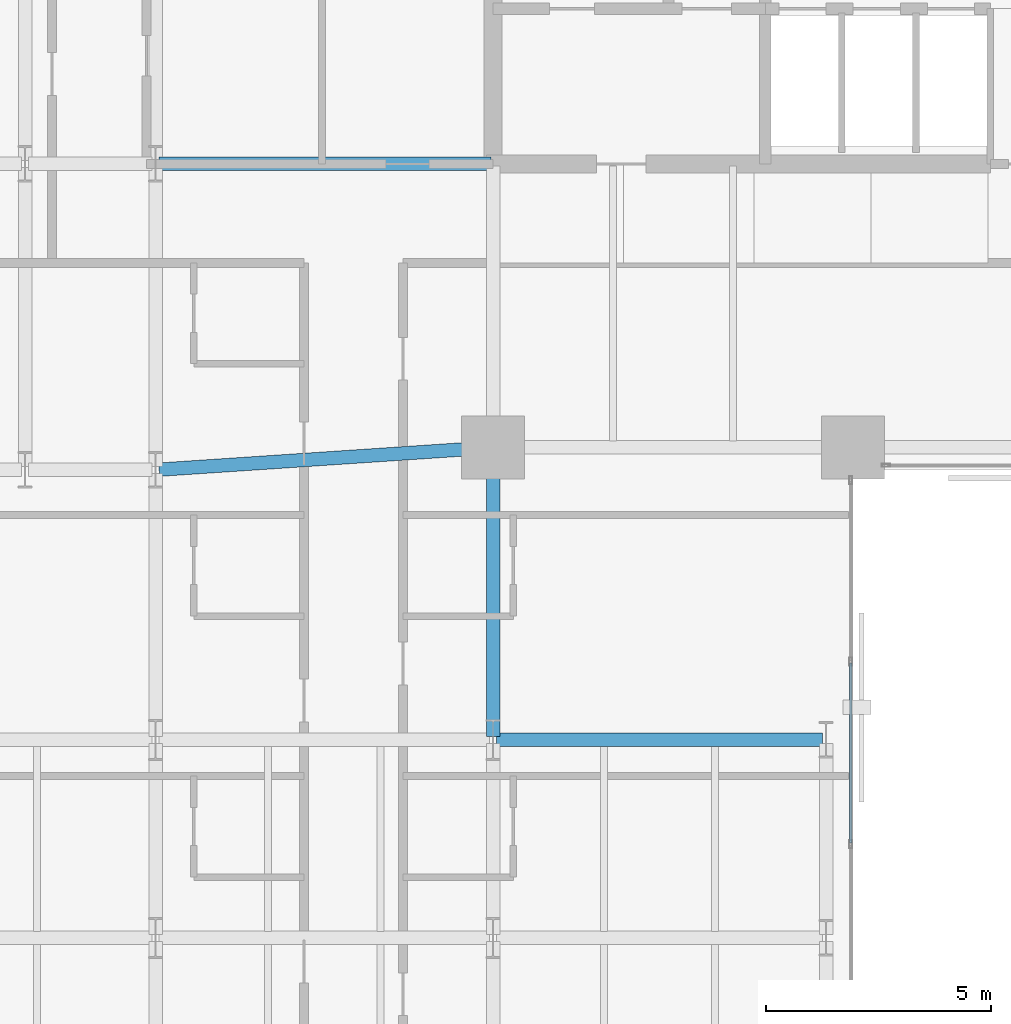
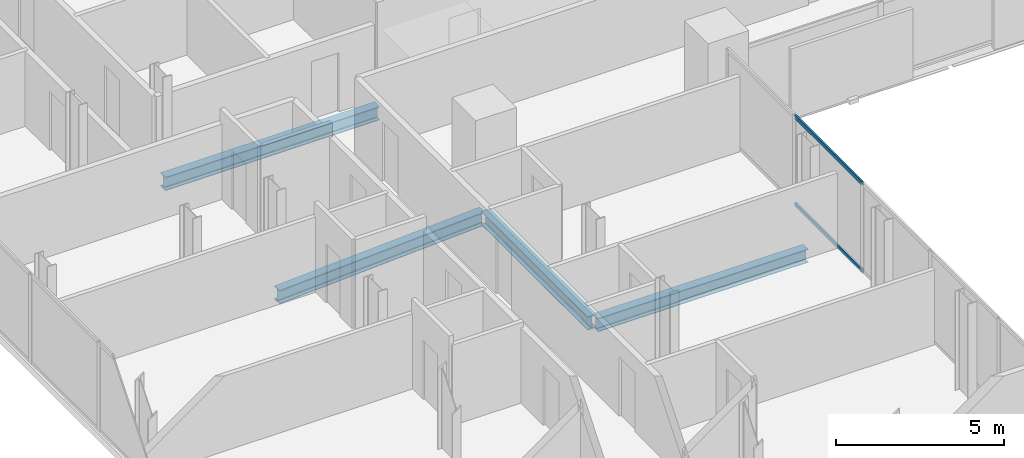
# One storey, part 12 of 33: 4 beams, 2 members, 1 element without a shape of its own.
"""IFC4 building model written with IfcOpenShell, lengths in metres."""

import ifcopenshell
import ifcopenshell.guid

model = None  # the IFC model being written
_history = None  # IfcOwnerHistory: only IFC2X3 demands one
_inside = {}  # id of a spatial element -> (the spatial element, [elements in it])
_under = {}  # id of a project, library or spatial element -> (it, [spatial elements below it])
_declared = {}  # id of a project -> (the project, [libraries it declares])
_typed = {}  # id of a type object -> (the type object, [elements of that type])
_made_of = {}  # id of a material, layer set ... -> (it, [elements and type objects made of it])


def new_model(schema):
    """Start an empty IFC model of exactly this schema.

    Asked for "IFC4X3", IfcOpenShell would pick the latest addendum, in which some entities
    have other attributes; the version numbers below select the first issue.
    IFC2X3 requires an IfcOwnerHistory on every rooted entity: one is made here for all.
    """
    global model, _history
    if schema == "IFC4X3":
        model = ifcopenshell.file(schema_version=(4, 3, 0, 0))
    else:
        model = ifcopenshell.file(schema=schema)
    _inside.clear()
    _under.clear()
    _declared.clear()
    _typed.clear()
    _made_of.clear()
    _history = None
    if model.schema == "IFC2X3":
        org = make("IfcOrganization", Name="unknown")
        user = make(
            "IfcPersonAndOrganization",
            ThePerson=make("IfcPerson", FamilyName="unknown"),
            TheOrganization=org,
        )
        app = make(
            "IfcApplication",
            ApplicationDeveloper=org,
            Version="unknown",
            ApplicationFullName="unknown",
            ApplicationIdentifier="unknown",
        )
        _history = make(
            "IfcOwnerHistory",
            OwningUser=user,
            OwningApplication=app,
            ChangeAction="ADDED",
            CreationDate=0,
        )
    return model


def make(cls, **values):
    """One entity of the class cls with the attributes given. An attribute that is None is left unset."""
    return model.create_entity(
        cls, **{name: value for name, value in values.items() if value is not None}
    )


def rooted(cls, **values):
    """An entity with a GlobalId (a new one), such as an element, a storey or a relation."""
    return make(cls, GlobalId=ifcopenshell.guid.new(), OwnerHistory=_history, **values)


def si_unit(unit_type, name, prefix=None):
    """IfcSIUnit, for example si_unit("LENGTHUNIT", "METRE", prefix="MILLI")."""
    return make("IfcSIUnit", UnitType=unit_type, Prefix=prefix, Name=name)


def assignment(units):
    """IfcUnitAssignment: the units of a project."""
    return None if units is None else make("IfcUnitAssignment", Units=units)


def point(xyz):
    """IfcCartesianPoint."""
    return None if xyz is None else make("IfcCartesianPoint", Coordinates=xyz)


def direction(xyz):
    """IfcDirection."""
    return None if xyz is None else make("IfcDirection", DirectionRatios=xyz)


def frame(location, z_axis=None, x_axis=None):
    """IfcAxis2Placement3D, a coordinate frame: its origin and axes. An axis left out is left unset."""
    return make(
        "IfcAxis2Placement3D",
        Location=point(location),
        Axis=direction(z_axis),
        RefDirection=direction(x_axis),
    )


def frame_2d(location, x_axis=None):
    """IfcAxis2Placement2D, a coordinate frame in the plane: its origin and x axis."""
    return make(
        "IfcAxis2Placement2D", Location=point(location), RefDirection=direction(x_axis)
    )


def origin():
    """The frame at (0, 0, 0) with its axes left unset."""
    return frame((0.0, 0.0, 0.0))


def origin_2d():
    """The frame at (0, 0) in the plane with its x axis left unset."""
    return frame_2d((0.0, 0.0))


def place(relative_to, where):
    """IfcLocalPlacement: puts the frame where relative to a parent placement (None: the world)."""
    return make(
        "IfcLocalPlacement", PlacementRelTo=relative_to, RelativePlacement=where
    )


def context(
    kind, dimensions, precision=None, world=None, true_north=None, identifier=None
):
    """IfcGeometricRepresentationContext, for example the 3D "Model" context."""
    return make(
        "IfcGeometricRepresentationContext",
        ContextIdentifier=identifier,
        ContextType=kind,
        CoordinateSpaceDimension=dimensions,
        Precision=precision,
        WorldCoordinateSystem=world,
        TrueNorth=true_north,
    )


def subcontext(parent, identifier, kind, view, scale=None):
    """IfcGeometricRepresentationSubContext, for example "Body" below "Model"."""
    return make(
        "IfcGeometricRepresentationSubContext",
        ContextIdentifier=identifier,
        ContextType=kind,
        ParentContext=parent,
        TargetScale=scale,
        TargetView=view,
    )


def project(units=None, contexts=None):
    """IfcProject with its units and contexts."""
    return rooted(
        "IfcProject",
        Name="project",
        RepresentationContexts=contexts,
        UnitsInContext=assignment(units),
    )


def spatial(cls, under=None, at=None, **own):
    """A site, building, storey or space (cls), placed at a placement, below another one or the project."""
    s = rooted(cls, ObjectPlacement=at, **own)
    if under is not None:
        _under.setdefault(under.id(), (under, []))[1].append(s)
    return s


def profile(cls, at=None, kind="AREA", **sizes):
    """A parametric profile (cls). Its sizes go by their IFC names, for example OverallWidth=200.0."""
    return make(cls, ProfileType=kind, Position=at, **sizes)


def hollow_rectangle(**sizes):
    """IfcRectangleHollowProfileDef."""
    return profile("IfcRectangleHollowProfileDef", **sizes)


def i_section(**sizes):
    """IfcIShapeProfileDef."""
    return profile("IfcIShapeProfileDef", **sizes)


def extrude(swept, where, along, depth):
    """IfcExtrudedAreaSolid: the profile swept, set in the frame where, extruded along a direction by depth."""
    return make(
        "IfcExtrudedAreaSolid",
        SweptArea=swept,
        Position=where,
        ExtrudedDirection=direction(along),
        Depth=depth,
    )


def shape(context_of_items, identifier, shape_type, items):
    """IfcShapeRepresentation: the items that make up one representation, for example the "Body"."""
    return make(
        "IfcShapeRepresentation",
        ContextOfItems=context_of_items,
        RepresentationIdentifier=identifier,
        RepresentationType=shape_type,
        Items=items,
    )


def material(Name=None, Category=None):
    """IfcMaterial."""
    return make("IfcMaterial", Name=Name, Category=Category)


def layer(
    of_material, thickness, ventilated=None, Name=None, Category=None, Priority=None
):
    """IfcMaterialLayer: one layer of a wall or slab, of a material (None: an air gap)."""
    return make(
        "IfcMaterialLayer",
        Material=of_material,
        LayerThickness=thickness,
        IsVentilated=ventilated,
        Name=Name,
        Category=Category,
        Priority=Priority,
    )


def layer_set(layers, Name=None):
    """IfcMaterialLayerSet."""
    return make("IfcMaterialLayerSet", MaterialLayers=layers, LayerSetName=Name)


def material_profile(
    of_material, cross_section, Name=None, Category=None, Priority=None
):
    """IfcMaterialProfile: a cross section and its material."""
    return make(
        "IfcMaterialProfile",
        Name=Name,
        Material=of_material,
        Profile=cross_section,
        Priority=Priority,
        Category=Category,
    )


def profile_set(profiles, Name=None, composite=None):
    """IfcMaterialProfileSet."""
    return make(
        "IfcMaterialProfileSet",
        Name=Name,
        MaterialProfiles=profiles,
        CompositeProfile=composite,
    )


def made_of(thing, what):
    """Note that an element or type object is made of a material, layer set ...; save() writes the relation."""
    if what is not None:
        _made_of.setdefault(what.id(), (what, []))[1].append(thing)
    return thing


def type_object(cls, material=None, **own):
    """A type object (cls), such as IfcWallType, which elements share."""
    return made_of(rooted(cls, **own), material)


def element(
    cls,
    number,
    at=None,
    inside=None,
    cuts=None,
    type_object=None,
    material=None,
    context=None,
    identifier="Body",
    shape_type=None,
    held_by="IfcProductDefinitionShape",
    body=None,
    shapes=None,
    **own,
):
    """One element of the class cls, such as IfcWall. Its Tag is "e" and its number.

    at: its placement. inside: the storey or other place that contains it. cuts: it is an
    opening in that element (IfcRelVoidsElement). A single representation is given by context,
    identifier, shape_type and body (its items); several are given by shapes. held_by: the class
    of the entity that holds the representations. save() writes the other relations.
    """
    e = rooted(cls, Tag="e%d" % number, ObjectPlacement=at, **own)
    if body is not None:
        shapes = [shape(context, identifier, shape_type, body)]
    if shapes is not None:
        e.Representation = make(held_by, Representations=shapes)
    if inside is not None:
        _inside.setdefault(inside.id(), (inside, []))[1].append(e)
    if cuts is not None:
        rooted(
            "IfcRelVoidsElement", RelatingBuildingElement=cuts, RelatedOpeningElement=e
        )
    if type_object is not None:
        _typed.setdefault(type_object.id(), (type_object, []))[1].append(e)
    return made_of(e, material)


def aggregate(whole, parts):
    """IfcRelAggregates: a whole, such as a stair, and the parts it consists of."""
    return rooted("IfcRelAggregates", RelatingObject=whole, RelatedObjects=parts)


def save(model, path):
    """Write the relations noted so far, then the file.

    IfcRelAggregates (storeys below a building ...), IfcRelContainedInSpatialStructure (elements
    in a storey), IfcRelDefinesByType, IfcRelAssociatesMaterial and IfcRelDeclares: one each for
    every whole, place, type object, material and project.
    """
    for whole, parts in _under.values():
        aggregate(whole, parts)
    for where, things in _inside.values():
        rooted(
            "IfcRelContainedInSpatialStructure",
            RelatedElements=things,
            RelatingStructure=where,
        )
    for kind, things in _typed.values():
        rooted("IfcRelDefinesByType", RelatedObjects=things, RelatingType=kind)
    for what, things in _made_of.values():
        rooted("IfcRelAssociatesMaterial", RelatedObjects=things, RelatingMaterial=what)
    for by, libraries in _declared.values():
        rooted("IfcRelDeclares", RelatingContext=by, RelatedDefinitions=libraries)
    model.write(path)


model = new_model("IFC4")

# Units and contexts
model_context = context("Model", 3, precision=1e-05, world=origin(), true_north=direction((0.0, 1.0)))
body_context = subcontext(model_context, "Body", "Model", "MODEL_VIEW")
ifc_project = project(units=[si_unit("LENGTHUNIT", "METRE"), si_unit("AREAUNIT", "SQUARE_METRE"), si_unit("VOLUMEUNIT", "CUBIC_METRE"), si_unit("PLANEANGLEUNIT", "RADIAN"), si_unit("MASSUNIT", "GRAM", prefix="KILO")], contexts=[model_context])

# Site, building, storey
site_placement = place(None, origin())
site = spatial("IfcSite", under=ifc_project, at=site_placement, CompositionType="ELEMENT")
building_placement = place(site_placement, origin())
building = spatial("IfcBuilding", under=site, at=building_placement, Name="Catumbela Crestline Tower", CompositionType="ELEMENT")
storey_placement = place(building_placement, frame((0.0, 0.0, 76.2)))
storey = spatial("IfcBuildingStorey", under=building, at=storey_placement, Name="L19", CompositionType="ELEMENT", Elevation=76.2)

# Beams
ifc_material_1 = material(Name="Structural steel S355J2", Category="steel")
ifc_material_profile_1 = material_profile(ifc_material_1, i_section(OverallWidth=0.3, OverallDepth=0.49, WebThickness=0.012, FlangeThickness=0.023, FilletRadius=0.027, at=origin_2d()), Name="HEA 500")
ifc_profile_set_1 = profile_set([ifc_material_profile_1], Name="Structural steel S355J2")
beam_type = type_object("IfcBeamType", Name="BG-HEA500", PredefinedType="BEAM", material=ifc_profile_set_1)
beam_1_placement = place(storey_placement, frame((8.5798, 24.0053, -0.505), z_axis=(0.997784796964, 0.066524423687, 0.0), x_axis=(-0.066524423687, 0.997784796964, 0.0)))
element("IfcBeam", 1, at=beam_1_placement, inside=storey, type_object=beam_type, Name="L19 Beam BM-L19-S03", PredefinedType="BEAM", context=body_context, shape_type="SweptSolid", body=[
    extrude(i_section(OverallWidth=0.3, OverallDepth=0.49, WebThickness=0.012, FlangeThickness=0.023, FilletRadius=0.027, at=origin_2d()), origin(), (0.0, 0.0, 1.0), 7.3567),
])
beam_2_placement = place(storey_placement, frame((8.58, 30.8, -0.505), z_axis=(1.0, 0.0, 0.0), x_axis=(0.0, 1.0, 0.0)))
element("IfcBeam", 2, at=beam_2_placement, inside=storey, type_object=beam_type, Name="L19 Beam BM-L19-M09", PredefinedType="BEAM", context=body_context, shape_type="SweptSolid", body=[
    extrude(i_section(OverallWidth=0.3, OverallDepth=0.49, WebThickness=0.012, FlangeThickness=0.023, FilletRadius=0.027, at=origin_2d()), origin(), (0.0, 0.0, 1.0), 7.37),
])
beam_3_placement = place(storey_placement, frame((16.08, 18.0, -0.505), z_axis=(1.0, 0.0, 0.0), x_axis=(0.0, 1.0, 0.0)))
element("IfcBeam", 3, at=beam_3_placement, inside=storey, type_object=beam_type, Name="L19 Beam BM-L19-WEW56", PredefinedType="BEAM", context=body_context, shape_type="SweptSolid", body=[
    extrude(i_section(OverallWidth=0.3, OverallDepth=0.49, WebThickness=0.012, FlangeThickness=0.023, FilletRadius=0.027, at=origin_2d()), origin(), (0.0, 0.0, 1.0), 7.24),
])
beam_4_placement = place(storey_placement, frame((16.0, 18.08, -0.505), z_axis=(0.0, 1.0, 0.0), x_axis=(-1.0, 0.0, 0.0)))
element("IfcBeam", 4, at=beam_4_placement, inside=storey, type_object=beam_type, Name="L19 Beam BM-L19-WNS67", PredefinedType="BEAM", context=body_context, shape_type="SweptSolid", body=[
    extrude(i_section(OverallWidth=0.3, OverallDepth=0.49, WebThickness=0.012, FlangeThickness=0.023, FilletRadius=0.027, at=origin_2d()), origin(), (0.0, 0.0, 1.0), 6.34),
])

# Curtain wall, members
ifc_material_2 = material(Name="Aluminium alloy AW-6060-T66", Category="aluminium")
ifc_layer = layer(ifc_material_2, 0.18, Name="Aluminium alloy AW-6060-T66")
ifc_layer_set = layer_set([ifc_layer], Name="Aluminium alloy AW-6060-T66")
curtain_wall_type = type_object("IfcCurtainWallType", Name="CWU-Z1", PredefinedType="USERDEFINED", material=ifc_layer_set)
curtain_wall_placement = place(storey_placement, origin())
curtain_wall = element("IfcCurtainWall", 5, at=curtain_wall_placement, inside=storey, type_object=curtain_wall_type, Name="L19 Unitised Curtain Wall CW-L19-E2S1", ObjectType="UNITISED", PredefinedType="USERDEFINED")
ifc_material_profile_2 = material_profile(ifc_material_2, hollow_rectangle(XDim=0.06, YDim=0.14, WallThickness=0.004, at=origin_2d()), Name="ALU 140x60x4")
ifc_profile_set_2 = profile_set([ifc_material_profile_2], Name="Aluminium alloy AW-6060-T66")
member_type = type_object("IfcMemberType", Name="TRN-140X60", PredefinedType="USERDEFINED", material=ifc_profile_set_2)
member_1_placement = place(storey_placement, frame((23.95, 15.7125, 0.03), z_axis=(0.0, 1.0, 0.0), x_axis=(-1.0, 0.0, 0.0)))
member_1 = element("IfcMember", 6, at=member_1_placement, type_object=member_type, Name="CWU-Z1 transom 4.1", ObjectType="TRANSOM", PredefinedType="USERDEFINED", context=body_context, shape_type="SweptSolid", body=[
    extrude(hollow_rectangle(XDim=0.06, YDim=0.14, WallThickness=0.004, at=origin_2d()), origin(), (0.0, 0.0, 1.0), 3.995),
])
member_2_placement = place(storey_placement, frame((23.95, 15.7125, 3.21), z_axis=(0.0, 1.0, 0.0), x_axis=(-1.0, 0.0, 0.0)))
member_2 = element("IfcMember", 7, at=member_2_placement, type_object=member_type, Name="CWU-Z1 transom 4.2", ObjectType="TRANSOM", PredefinedType="USERDEFINED", context=body_context, shape_type="SweptSolid", body=[
    extrude(hollow_rectangle(XDim=0.06, YDim=0.14, WallThickness=0.004, at=origin_2d()), origin(), (0.0, 0.0, 1.0), 3.995),
])
aggregate(curtain_wall, [member_1, member_2])

save(model, "model.ifc")
